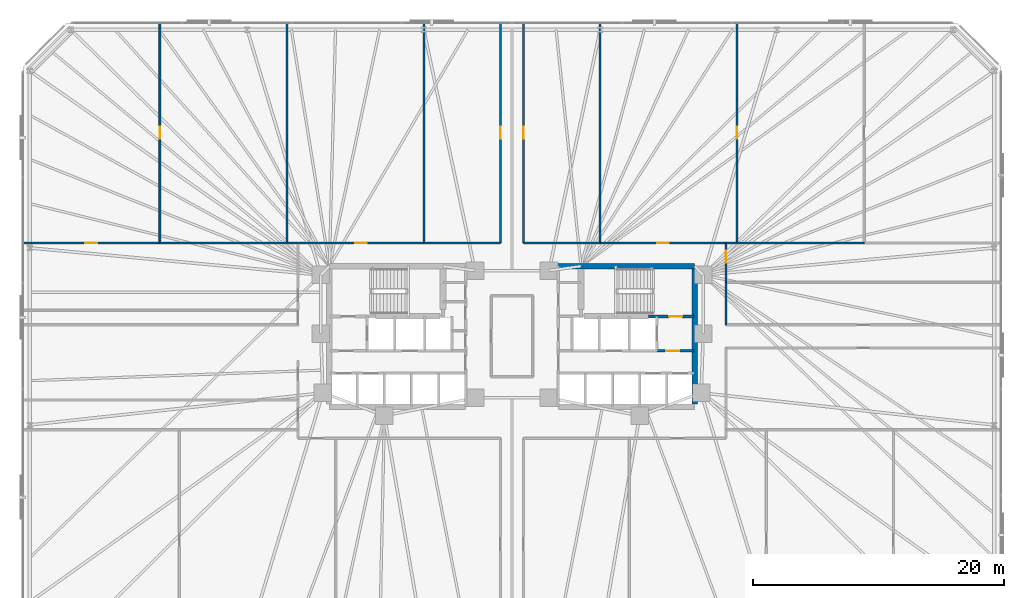
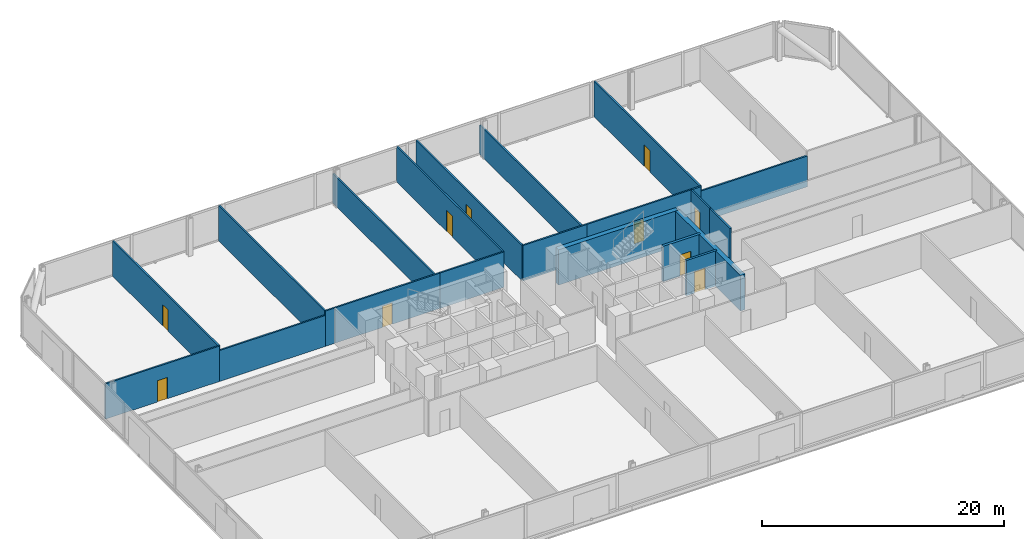
# One storey, part 14 of 17: 22 walls, 10 doors, 10 openings.
"""IFC4 building model written with IfcOpenShell, lengths in metres."""

from ifc_helpers import new_model, si_unit, direction, frame, frame_2d, origin, place, context, subcontext, project, spatial, rectangle, extrude, material, layer, layer_set, type_object, element, fill, save


model = new_model("IFC4")

# Units and contexts
model_context = context("Model", 3, precision=1e-05, world=origin(), true_north=direction((0.0, 1.0)))
body_context = subcontext(model_context, "Body", "Model", "MODEL_VIEW")
ifc_project = project(units=[si_unit("LENGTHUNIT", "METRE"), si_unit("AREAUNIT", "SQUARE_METRE"), si_unit("VOLUMEUNIT", "CUBIC_METRE"), si_unit("PLANEANGLEUNIT", "RADIAN"), si_unit("MASSUNIT", "GRAM", prefix="KILO")], contexts=[model_context])

# Site, building, storey
site_placement = place(None, origin())
site = spatial("IfcSite", under=ifc_project, at=site_placement, CompositionType="ELEMENT")
building_placement = place(site_placement, origin())
building = spatial("IfcBuilding", under=site, at=building_placement, Name="Menara Jurai Vektor", CompositionType="ELEMENT")
storey_placement = place(building_placement, frame((0.0, 0.0, 52.199951171875)))
storey = spatial("IfcBuildingStorey", under=building, at=storey_placement, Name="L12", CompositionType="ELEMENT", Elevation=52.199951171875)

# Wall, opening, door
ifc_material_1 = material(Name="Concrete C40/50", Category="concrete")
ifc_layer_1 = layer(ifc_material_1, 0.25)
ifc_layer_set_1 = layer_set([ifc_layer_1], Name="Concrete C40/50")
wall_type_1 = type_object("IfcWallType", Name="INT-WALL-CORE-250", PredefinedType="STANDARD", material=ifc_layer_set_1)
wall_1_placement = place(storey_placement, frame((10.89990234375, 1.60009765625, 0.0), z_axis=(0.0, 0.0, 1.0), x_axis=(1.0, 0.0, 0.0)))
wall_1 = element("IfcWall", 1, at=wall_1_placement, inside=storey, type_object=wall_type_1, Name="Interior Wall IW-250 L12", PredefinedType="STANDARD", context=body_context, shape_type="SweptSolid", body=[
    extrude(rectangle(XDim=3.60009765625, YDim=0.25, at=frame_2d((1.800048828125, 0.0))), origin(), (0.0, 0.0, 1.0), 3.574951171875),
])
opening_1_placement = place(wall_1_placement, frame((1.6201171875, 0.0, 0.0)))
opening_1 = element("IfcOpeningElement", 2, at=opening_1_placement, cuts=wall_1, Name="Opening D-L12-ST2", PredefinedType="OPENING", context=body_context, shape_type="SweptSolid", body=[
    extrude(rectangle(XDim=1.050048828125, YDim=2.14990234375, at=frame_2d((0.52490234375, 1.074951171875))), frame((0.0, 0.135009765625, 0.0), z_axis=(0.0, -1.0, 0.0), x_axis=(1.0, 0.0, 0.0)), (0.0, 0.0, 1.0), 0.27001953125),
])
ifc_material_2 = material(Name="Fire-Rated Steel Door", Category="steel")
door_type_1 = type_object("IfcDoorType", Name="DR-STAIR-1050", OperationType="NOTDEFINED", PredefinedType="DOOR", material=ifc_material_2)
door_1_placement = place(opening_1_placement, origin())
door_1 = element("IfcDoor", 3, at=door_1_placement, inside=storey, type_object=door_type_1, Name="Exit Stair ST2 Door L12", OperationType="SINGLE_SWING_LEFT", OverallHeight=2.14990234375, OverallWidth=1.050048828125, PredefinedType="DOOR", context=body_context, shape_type="SweptSolid", body=[
    extrude(rectangle(XDim=1.050048828125, YDim=2.14990234375, at=frame_2d((0.52490234375, 1.074951171875))), frame((0.0, 0.02490234375, 0.0), z_axis=(0.0, -1.0, 0.0), x_axis=(1.0, 0.0, 0.0)), (0.0, 0.0, 1.0), 0.050048828125),
])
fill(opening_1, door_1)

wall_2_placement = place(storey_placement, frame((11.550048828125, -1.14990234375, 0.0), z_axis=(0.0, 0.0, 1.0), x_axis=(1.0, 0.0, 0.0)))
wall_2 = element("IfcWall", 4, at=wall_2_placement, inside=storey, type_object=wall_type_1, Name="Interior Wall IW-250 L12", PredefinedType="STANDARD", context=body_context, shape_type="SweptSolid", body=[
    extrude(rectangle(XDim=2.949951171875, YDim=0.199951171875, at=frame_2d((1.47509765625, 0.0))), origin(), (0.0, 0.0, 1.0), 3.574951171875),
])
opening_2_placement = place(wall_2_placement, frame((0.75, 0.0, 0.0)))
opening_2 = element("IfcOpeningElement", 5, at=opening_2_placement, cuts=wall_2, Name="Opening D-L12-FFE", PredefinedType="OPENING", context=body_context, shape_type="SweptSolid", body=[
    extrude(rectangle(XDim=1.050048828125, YDim=2.179931640625, at=frame_2d((0.52490234375, 1.08984375))), frame((0.0, 0.10986328125, 0.0), z_axis=(0.0, -1.0, 0.0), x_axis=(1.0, 0.0, 0.0)), (0.0, 0.0, 1.0), 0.219970703125),
])
ifc_material_3 = material(Name="Fire-Rated Timber Door", Category="wood")
door_type_2 = type_object("IfcDoorType", Name="DR-LOBBY-1050", OperationType="NOTDEFINED", PredefinedType="DOOR", material=ifc_material_3)
door_2_placement = place(opening_2_placement, origin())
door_2 = element("IfcDoor", 6, at=door_2_placement, inside=storey, type_object=door_type_2, Name="Fire Lift Lobby Door E L12", OperationType="SINGLE_SWING_LEFT", OverallHeight=2.179931640625, OverallWidth=1.050048828125, PredefinedType="DOOR", context=body_context, shape_type="SweptSolid", body=[
    extrude(rectangle(XDim=1.050048828125, YDim=2.179931640625, at=frame_2d((0.52490234375, 1.08984375))), frame((0.0, 0.02490234375, 0.0), z_axis=(0.0, -1.0, 0.0), x_axis=(1.0, 0.0, 0.0)), (0.0, 0.0, 1.0), 0.050048828125),
])
fill(opening_2, door_2)

ifc_material_4 = material(Name="Gypsum Fireboard Partition", Category="gypsum")
ifc_layer_2 = layer(ifc_material_4, 0.14990234375)
ifc_layer_set_2 = layer_set([ifc_layer_2], Name="Gypsum Fireboard Partition")
wall_type_2 = type_object("IfcWallType", Name="INT-WALL-CORR-150", PredefinedType="PARTITIONING", material=ifc_layer_set_2)
wall_3_placement = place(storey_placement, frame((-17.05908203125, 7.449951171875, 0.0), z_axis=(0.0, 0.0, 1.0), x_axis=(1.0, 0.0, 0.0)))
wall_3 = element("IfcWall", 7, at=wall_3_placement, inside=storey, type_object=wall_type_2, Name="Interior Wall IW-150 L12", PredefinedType="PARTITIONING", context=body_context, shape_type="SweptSolid", body=[
    extrude(rectangle(XDim=10.0390625, YDim=0.14990234375, at=frame_2d((5.01953125, 0.0))), origin(), (0.0, 0.0, 1.0), 3.574951171875),
])
opening_3_placement = place(wall_3_placement, frame((4.54443359375, 0.0, 0.0)))
opening_3 = element("IfcOpeningElement", 8, at=opening_3_placement, cuts=wall_3, Name="Opening D12-07", PredefinedType="OPENING", context=body_context, shape_type="SweptSolid", body=[
    extrude(rectangle(XDim=0.949951171875, YDim=2.14990234375, at=frame_2d((0.47509765625, 1.074951171875))), frame((0.0, 0.0849609375, 0.0), z_axis=(0.0, -1.0, 0.0), x_axis=(1.0, 0.0, 0.0)), (0.0, 0.0, 1.0), 0.169921875),
])
ifc_material_5 = material(Name="Solid Core Timber Fire Door", Category="wood")
door_type_3 = type_object("IfcDoorType", Name="DR-ENTRY-950", OperationType="NOTDEFINED", PredefinedType="DOOR", material=ifc_material_5)
door_3_placement = place(opening_3_placement, origin())
door_3 = element("IfcDoor", 9, at=door_3_placement, inside=storey, type_object=door_type_3, Name="Interior Door D12-07", OperationType="SINGLE_SWING_RIGHT", OverallHeight=2.14990234375, OverallWidth=0.949951171875, PredefinedType="DOOR", context=body_context, shape_type="SweptSolid", body=[
    extrude(rectangle(XDim=0.949951171875, YDim=2.14990234375, at=frame_2d((0.47509765625, 1.074951171875))), frame((0.0, 0.02490234375, 0.0), z_axis=(0.0, -1.0, 0.0), x_axis=(1.0, 0.0, 0.0)), (0.0, 0.0, 1.0), 0.050048828125),
])
fill(opening_3, door_3)

# Wall
wall_4_placement = place(storey_placement, frame((-7.02001953125, 7.449951171875, 0.0), z_axis=(0.0, 0.0, 1.0), x_axis=(1.0, 0.0, 0.0)))
element("IfcWall", 10, at=wall_4_placement, inside=storey, type_object=wall_type_2, Name="Interior Wall IW-150 L12", PredefinedType="PARTITIONING", context=body_context, shape_type="SweptSolid", body=[
    extrude(rectangle(XDim=6.10009765625, YDim=0.14990234375, at=frame_2d((3.050048828125, 0.0))), origin(), (0.0, 0.0, 1.0), 3.574951171875),
])

# Wall, opening, door
wall_5_placement = place(storey_placement, frame((-0.919921875, 7.449951171875, 0.0), z_axis=(0.0, 0.0, 1.0), x_axis=(0.0, 1.0, 0.0)))
wall_5 = element("IfcWall", 11, at=wall_5_placement, inside=storey, type_object=wall_type_2, Name="Interior Wall IW-150 L12", PredefinedType="PARTITIONING", context=body_context, shape_type="SweptSolid", body=[
    extrude(rectangle(XDim=17.550048828125, YDim=0.14990234375, at=frame_2d((8.77490234375, 0.0))), origin(), (0.0, 0.0, 1.0), 3.574951171875),
])
opening_4_placement = place(wall_5_placement, frame((8.300048828125, 0.0, 0.0)))
opening_4 = element("IfcOpeningElement", 12, at=opening_4_placement, cuts=wall_5, Name="Opening D12-08", PredefinedType="OPENING", context=body_context, shape_type="SweptSolid", body=[
    extrude(rectangle(XDim=0.949951171875, YDim=2.14990234375, at=frame_2d((0.47509765625, 1.074951171875))), frame((0.0, 0.0849609375, 0.0), z_axis=(0.0, -1.0, 0.0), x_axis=(1.0, 0.0, 0.0)), (0.0, 0.0, 1.0), 0.169921875),
])
door_4_placement = place(opening_4_placement, origin())
door_4 = element("IfcDoor", 13, at=door_4_placement, inside=storey, type_object=door_type_3, Name="Interior Door D12-08", OperationType="SINGLE_SWING_LEFT", OverallHeight=2.14990234375, OverallWidth=0.949951171875, PredefinedType="DOOR", context=body_context, shape_type="SweptSolid", body=[
    extrude(rectangle(XDim=0.949951171875, YDim=2.14990234375, at=frame_2d((0.47509765625, 1.074951171875))), frame((0.0, 0.02490234375, 0.0), z_axis=(0.0, -1.0, 0.0), x_axis=(1.0, 0.0, 0.0)), (0.0, 0.0, 1.0), 0.050048828125),
])
fill(opening_4, door_4)

wall_6_placement = place(storey_placement, frame((0.919921875, 7.449951171875, 0.0), z_axis=(0.0, 0.0, 1.0), x_axis=(0.0, 1.0, 0.0)))
wall_6 = element("IfcWall", 14, at=wall_6_placement, inside=storey, type_object=wall_type_2, Name="Interior Wall IW-150 L12", PredefinedType="PARTITIONING", context=body_context, shape_type="SweptSolid", body=[
    extrude(rectangle(XDim=17.550048828125, YDim=0.14990234375, at=frame_2d((8.77490234375, 0.0))), origin(), (0.0, 0.0, 1.0), 3.574951171875),
])
opening_5_placement = place(wall_6_placement, frame((8.300048828125, 0.0, 0.0)))
opening_5 = element("IfcOpeningElement", 15, at=opening_5_placement, cuts=wall_6, Name="Opening D12-09", PredefinedType="OPENING", context=body_context, shape_type="SweptSolid", body=[
    extrude(rectangle(XDim=0.949951171875, YDim=2.14990234375, at=frame_2d((0.47509765625, 1.074951171875))), frame((0.0, 0.0849609375, 0.0), z_axis=(0.0, -1.0, 0.0), x_axis=(1.0, 0.0, 0.0)), (0.0, 0.0, 1.0), 0.169921875),
])
door_5_placement = place(opening_5_placement, origin())
door_5 = element("IfcDoor", 16, at=door_5_placement, inside=storey, type_object=door_type_3, Name="Interior Door D12-09", OperationType="SINGLE_SWING_RIGHT", OverallHeight=2.14990234375, OverallWidth=0.949951171875, PredefinedType="DOOR", context=body_context, shape_type="SweptSolid", body=[
    extrude(rectangle(XDim=0.949951171875, YDim=2.14990234375, at=frame_2d((0.47509765625, 1.074951171875))), frame((0.0, 0.02490234375, 0.0), z_axis=(0.0, -1.0, 0.0), x_axis=(1.0, 0.0, 0.0)), (0.0, 0.0, 1.0), 0.050048828125),
])
fill(opening_5, door_5)

# Wall
wall_7_placement = place(storey_placement, frame((0.919921875, 7.449951171875, 0.0), z_axis=(0.0, 0.0, 1.0), x_axis=(1.0, 0.0, 0.0)))
element("IfcWall", 17, at=wall_7_placement, inside=storey, type_object=wall_type_2, Name="Interior Wall IW-150 L12", PredefinedType="PARTITIONING", context=body_context, shape_type="SweptSolid", body=[
    extrude(rectangle(XDim=6.10009765625, YDim=0.14990234375, at=frame_2d((3.050048828125, 0.0))), origin(), (0.0, 0.0, 1.0), 3.574951171875),
])

# Wall, opening, door
wall_8_placement = place(storey_placement, frame((7.02001953125, 7.449951171875, 0.0), z_axis=(0.0, 0.0, 1.0), x_axis=(1.0, 0.0, 0.0)))
wall_8 = element("IfcWall", 18, at=wall_8_placement, inside=storey, type_object=wall_type_2, Name="Interior Wall IW-150 L12", PredefinedType="PARTITIONING", context=body_context, shape_type="SweptSolid", body=[
    extrude(rectangle(XDim=10.0390625, YDim=0.14990234375, at=frame_2d((5.01953125, 0.0))), origin(), (0.0, 0.0, 1.0), 3.574951171875),
])
opening_6_placement = place(wall_8_placement, frame((4.54443359375, 0.0, 0.0)))
opening_6 = element("IfcOpeningElement", 19, at=opening_6_placement, cuts=wall_8, Name="Opening D12-10", PredefinedType="OPENING", context=body_context, shape_type="SweptSolid", body=[
    extrude(rectangle(XDim=0.949951171875, YDim=2.14990234375, at=frame_2d((0.47509765625, 1.074951171875))), frame((0.0, 0.0849609375, 0.0), z_axis=(0.0, -1.0, 0.0), x_axis=(1.0, 0.0, 0.0)), (0.0, 0.0, 1.0), 0.169921875),
])
door_6_placement = place(opening_6_placement, origin())
door_6 = element("IfcDoor", 20, at=door_6_placement, inside=storey, type_object=door_type_3, Name="Interior Door D12-10", OperationType="SINGLE_SWING_LEFT", OverallHeight=2.14990234375, OverallWidth=0.949951171875, PredefinedType="DOOR", context=body_context, shape_type="SweptSolid", body=[
    extrude(rectangle(XDim=0.949951171875, YDim=2.14990234375, at=frame_2d((0.47509765625, 1.074951171875))), frame((0.0, 0.02490234375, 0.0), z_axis=(0.0, -1.0, 0.0), x_axis=(1.0, 0.0, 0.0)), (0.0, 0.0, 1.0), 0.050048828125),
])
fill(opening_6, door_6)

# Wall
wall_9_placement = place(storey_placement, frame((17.05908203125, 0.919921875, 0.0), z_axis=(0.0, 0.0, 1.0), x_axis=(0.0, 1.0, 0.0)))
element("IfcWall", 21, at=wall_9_placement, inside=storey, type_object=wall_type_2, Name="Interior Wall IW-150 L12", PredefinedType="PARTITIONING", context=body_context, shape_type="SweptSolid", body=[
    extrude(rectangle(XDim=3.401123046875, YDim=0.14990234375, at=frame_2d((1.70068359375, 0.0))), origin(), (0.0, 0.0, 1.0), 3.574951171875),
])

# Wall, opening, door
wall_10_placement = place(storey_placement, frame((17.05908203125, 4.321044921875, 0.0), z_axis=(0.0, 0.0, 1.0), x_axis=(0.0, 1.0, 0.0)))
wall_10 = element("IfcWall", 22, at=wall_10_placement, inside=storey, type_object=wall_type_2, Name="Interior Wall IW-150 L12", PredefinedType="PARTITIONING", context=body_context, shape_type="SweptSolid", body=[
    extrude(rectangle(XDim=3.12890625, YDim=0.14990234375, at=frame_2d((1.564453125, 0.0))), origin(), (0.0, 0.0, 1.0), 3.574951171875),
])
opening_7_placement = place(wall_10_placement, frame((1.558837890625, 0.0, 0.0)))
opening_7 = element("IfcOpeningElement", 23, at=opening_7_placement, cuts=wall_10, Name="Opening D12-21", PredefinedType="OPENING", context=body_context, shape_type="SweptSolid", body=[
    extrude(rectangle(XDim=0.949951171875, YDim=2.14990234375, at=frame_2d((0.47509765625, 1.074951171875))), frame((0.0, 0.0849609375, 0.0), z_axis=(0.0, -1.0, 0.0), x_axis=(1.0, 0.0, 0.0)), (0.0, 0.0, 1.0), 0.169921875),
])
door_7_placement = place(opening_7_placement, origin())
door_7 = element("IfcDoor", 24, at=door_7_placement, inside=storey, type_object=door_type_3, Name="Interior Door D12-21", OperationType="SINGLE_SWING_RIGHT", OverallHeight=2.14990234375, OverallWidth=0.949951171875, PredefinedType="DOOR", context=body_context, shape_type="SweptSolid", body=[
    extrude(rectangle(XDim=0.949951171875, YDim=2.14990234375, at=frame_2d((0.47509765625, 1.074951171875))), frame((0.0, 0.02490234375, 0.0), z_axis=(0.0, -1.0, 0.0), x_axis=(1.0, 0.0, 0.0)), (0.0, 0.0, 1.0), 0.050048828125),
])
fill(opening_7, door_7)

wall_11_placement = place(storey_placement, frame((-28.080078125, 7.449951171875, 0.0), z_axis=(0.0, 0.0, 1.0), x_axis=(0.0, 1.0, 0.0)))
wall_11 = element("IfcWall", 25, at=wall_11_placement, inside=storey, type_object=wall_type_2, Name="Interior Wall IW-150 L12", PredefinedType="PARTITIONING", context=body_context, shape_type="SweptSolid", body=[
    extrude(rectangle(XDim=17.550048828125, YDim=0.14990234375, at=frame_2d((8.77490234375, 0.0))), origin(), (0.0, 0.0, 1.0), 3.574951171875),
])
opening_8_placement = place(wall_11_placement, frame((8.300048828125, 0.0, 0.0)))
opening_8 = element("IfcOpeningElement", 26, at=opening_8_placement, cuts=wall_11, Name="Opening D12-23", PredefinedType="OPENING", context=body_context, shape_type="SweptSolid", body=[
    extrude(rectangle(XDim=0.949951171875, YDim=2.14990234375, at=frame_2d((0.47509765625, 1.074951171875))), frame((0.0, 0.0849609375, 0.0), z_axis=(0.0, -1.0, 0.0), x_axis=(1.0, 0.0, 0.0)), (0.0, 0.0, 1.0), 0.169921875),
])
door_8_placement = place(opening_8_placement, origin())
door_8 = element("IfcDoor", 27, at=door_8_placement, inside=storey, type_object=door_type_3, Name="Interior Door D12-23", OperationType="SINGLE_SWING_RIGHT", OverallHeight=2.14990234375, OverallWidth=0.949951171875, PredefinedType="DOOR", context=body_context, shape_type="SweptSolid", body=[
    extrude(rectangle(XDim=0.949951171875, YDim=2.14990234375, at=frame_2d((0.47509765625, 1.074951171875))), frame((0.0, 0.02490234375, 0.0), z_axis=(0.0, -1.0, 0.0), x_axis=(1.0, 0.0, 0.0)), (0.0, 0.0, 1.0), 0.050048828125),
])
fill(opening_8, door_8)

wall_12_placement = place(storey_placement, frame((-39.0, 7.449951171875, 0.0), z_axis=(0.0, 0.0, 1.0), x_axis=(1.0, 0.0, 0.0)))
wall_12 = element("IfcWall", 28, at=wall_12_placement, inside=storey, type_object=wall_type_2, Name="Interior Wall IW-150 L12", PredefinedType="PARTITIONING", context=body_context, shape_type="SweptSolid", body=[
    extrude(rectangle(XDim=10.919921875, YDim=0.14990234375, at=frame_2d((5.4599609375, 0.0))), origin(), (0.0, 0.0, 1.0), 3.574951171875),
])
opening_9_placement = place(wall_12_placement, frame((4.985107421875, 0.0, 0.0)))
opening_9 = element("IfcOpeningElement", 29, at=opening_9_placement, cuts=wall_12, Name="Opening D12-22", PredefinedType="OPENING", context=body_context, shape_type="SweptSolid", body=[
    extrude(rectangle(XDim=0.949951171875, YDim=2.14990234375, at=frame_2d((0.47509765625, 1.074951171875))), frame((0.0, 0.0849609375, 0.0), z_axis=(0.0, -1.0, 0.0), x_axis=(1.0, 0.0, 0.0)), (0.0, 0.0, 1.0), 0.169921875),
])
door_9_placement = place(opening_9_placement, origin())
door_9 = element("IfcDoor", 30, at=door_9_placement, inside=storey, type_object=door_type_3, Name="Interior Door D12-22", OperationType="SINGLE_SWING_LEFT", OverallHeight=2.14990234375, OverallWidth=0.949951171875, PredefinedType="DOOR", context=body_context, shape_type="SweptSolid", body=[
    extrude(rectangle(XDim=0.949951171875, YDim=2.14990234375, at=frame_2d((0.47509765625, 1.074951171875))), frame((0.0, 0.02490234375, 0.0), z_axis=(0.0, -1.0, 0.0), x_axis=(1.0, 0.0, 0.0)), (0.0, 0.0, 1.0), 0.050048828125),
])
fill(opening_9, door_9)

# Walls
wall_13_placement = place(storey_placement, frame((-17.93994140625, 7.449951171875, 0.0), z_axis=(0.0, 0.0, 1.0), x_axis=(0.0, 1.0, 0.0)))
element("IfcWall", 31, at=wall_13_placement, inside=storey, type_object=wall_type_2, Name="Interior Wall IW-150 L12", PredefinedType="PARTITIONING", context=body_context, shape_type="SweptSolid", body=[
    extrude(rectangle(XDim=17.550048828125, YDim=0.14990234375, at=frame_2d((8.77490234375, 0.0))), origin(), (0.0, 0.0, 1.0), 3.574951171875),
])
wall_14_placement = place(storey_placement, frame((-17.93994140625, 7.449951171875, 0.0), z_axis=(0.0, 0.0, 1.0), x_axis=(1.0, 0.0, 0.0)))
element("IfcWall", 32, at=wall_14_placement, inside=storey, type_object=wall_type_2, Name="Interior Wall IW-150 L12", PredefinedType="PARTITIONING", context=body_context, shape_type="SweptSolid", body=[
    extrude(rectangle(XDim=0.880859375, YDim=0.14990234375, at=frame_2d((0.4404296875, 0.0))), origin(), (0.0, 0.0, 1.0), 3.574951171875),
])

# Wall, opening, door
wall_15_placement = place(storey_placement, frame((17.93994140625, 7.449951171875, 0.0), z_axis=(0.0, 0.0, 1.0), x_axis=(0.0, 1.0, 0.0)))
wall_15 = element("IfcWall", 33, at=wall_15_placement, inside=storey, type_object=wall_type_2, Name="Interior Wall IW-150 L12", PredefinedType="PARTITIONING", context=body_context, shape_type="SweptSolid", body=[
    extrude(rectangle(XDim=17.550048828125, YDim=0.14990234375, at=frame_2d((8.77490234375, 0.0))), origin(), (0.0, 0.0, 1.0), 3.574951171875),
])
opening_10_placement = place(wall_15_placement, frame((8.300048828125, 0.0, 0.0)))
opening_10 = element("IfcOpeningElement", 34, at=opening_10_placement, cuts=wall_15, Name="Opening D12-24", PredefinedType="OPENING", context=body_context, shape_type="SweptSolid", body=[
    extrude(rectangle(XDim=0.949951171875, YDim=2.14990234375, at=frame_2d((0.47509765625, 1.074951171875))), frame((0.0, 0.0849609375, 0.0), z_axis=(0.0, -1.0, 0.0), x_axis=(1.0, 0.0, 0.0)), (0.0, 0.0, 1.0), 0.169921875),
])
door_10_placement = place(opening_10_placement, origin())
door_10 = element("IfcDoor", 35, at=door_10_placement, inside=storey, type_object=door_type_3, Name="Interior Door D12-24", OperationType="SINGLE_SWING_LEFT", OverallHeight=2.14990234375, OverallWidth=0.949951171875, PredefinedType="DOOR", context=body_context, shape_type="SweptSolid", body=[
    extrude(rectangle(XDim=0.949951171875, YDim=2.14990234375, at=frame_2d((0.47509765625, 1.074951171875))), frame((0.0, 0.02490234375, 0.0), z_axis=(0.0, -1.0, 0.0), x_axis=(1.0, 0.0, 0.0)), (0.0, 0.0, 1.0), 0.050048828125),
])
fill(opening_10, door_10)

# Walls
wall_16_placement = place(storey_placement, frame((17.05908203125, 7.449951171875, 0.0), z_axis=(0.0, 0.0, 1.0), x_axis=(1.0, 0.0, 0.0)))
element("IfcWall", 36, at=wall_16_placement, inside=storey, type_object=wall_type_2, Name="Interior Wall IW-150 L12", PredefinedType="PARTITIONING", context=body_context, shape_type="SweptSolid", body=[
    extrude(rectangle(XDim=0.880859375, YDim=0.14990234375, at=frame_2d((0.4404296875, 0.0))), origin(), (0.0, 0.0, 1.0), 3.574951171875),
])
ifc_layer_3 = layer(ifc_material_4, 0.14990234375)
ifc_layer_set_3 = layer_set([ifc_layer_3], Name="Gypsum Fireboard Partition")
wall_type_3 = type_object("IfcWallType", Name="INT-WALL-CORR-150-H1", PredefinedType="PARTITIONING", material=ifc_layer_set_3)
for number, where, z_axis, x_axis, name in (
    (37, (-28.080078125, 7.449951171875, 0.0), (0.0, 0.0, 1.0), (1.0, 0.0, 0.0), "Interior Wall IW-150 L12"),
    (38, (17.93994140625, 7.449951171875, 0.0), (0.0, 0.0, 1.0), (1.0, 0.0, 0.0), "Interior Wall IW-150 L12"),
):
    element("IfcWall", number, at=place(storey_placement, frame(where, z_axis=z_axis, x_axis=x_axis)), inside=storey, type_object=wall_type_3, Name=name, PredefinedType="PARTITIONING", context=body_context, shape_type="SweptSolid", body=[
        extrude(rectangle(XDim=10.14013671875, YDim=0.14990234375, at=frame_2d((5.070068359375, 0.0))), origin(), (0.0, 0.0, 1.0), 3.125),
    ])
ifc_layer_4 = layer(ifc_material_4, 0.14990234375)
ifc_layer_set_4 = layer_set([ifc_layer_4], Name="Gypsum Fireboard Partition")
wall_type_4 = type_object("IfcWallType", Name="INT-WALL-CORR-150-H2", PredefinedType="PARTITIONING", material=ifc_layer_set_4)
for number, where, z_axis, x_axis, name in (
    (39, (-7.02001953125, 7.449951171875, 0.0), (0.0, 0.0, 1.0), (0.0, 1.0, 0.0), "Interior Wall IW-150 L12"),
    (40, (7.02001953125, 7.449951171875, 0.0), (0.0, 0.0, 1.0), (0.0, 1.0, 0.0), "Interior Wall IW-150 L12"),
):
    element("IfcWall", number, at=place(storey_placement, frame(where, z_axis=z_axis, x_axis=x_axis)), inside=storey, type_object=wall_type_4, Name=name, PredefinedType="PARTITIONING", context=body_context, shape_type="SweptSolid", body=[
        extrude(rectangle(XDim=17.550048828125, YDim=0.14990234375, at=frame_2d((8.77490234375, 0.0))), origin(), (0.0, 0.0, 1.0), 2.97509765625),
    ])
ifc_material_6 = material(Name="Concrete C60/75", Category="concrete")
ifc_layer_5 = layer(ifc_material_6, 0.449951171875)
ifc_layer_set_5 = layer_set([ifc_layer_5], Name="Concrete C60/75")
wall_type_5 = type_object("IfcWallType", Name="STR-WALL-CORE450", PredefinedType="SHEAR", material=ifc_layer_set_5)
wall_17_placement = place(storey_placement, frame((3.14990234375, 5.60009765625, 0.0), z_axis=(0.0, 0.0, 1.0), x_axis=(1.0, 0.0, 0.0)))
element("IfcWall", 41, at=wall_17_placement, inside=storey, type_object=wall_type_5, Name="Core Shear Wall CW-E-N L12", PredefinedType="SHEAR", context=body_context, shape_type="SweptSolid", body=[
    extrude(rectangle(XDim=11.41015625, YDim=0.449951171875, at=frame_2d((5.705078125, 0.0))), origin(), (0.0, 0.0, 1.0), 3.574951171875),
])
wall_18_placement = place(storey_placement, frame((14.56005859375, -5.375, 0.0), z_axis=(0.0, 0.0, 1.0), x_axis=(0.0, 1.0, 0.0)))
element("IfcWall", 42, at=wall_18_placement, inside=storey, type_object=wall_type_5, Name="Core Shear Wall CW-E-E L12", PredefinedType="SHEAR", context=body_context, shape_type="SweptSolid", body=[
    extrude(rectangle(XDim=10.75, YDim=0.449951171875, at=frame_2d((5.375, 0.0))), origin(), (0.0, 0.0, 1.0), 3.574951171875),
])

save(model, "model.ifc")
